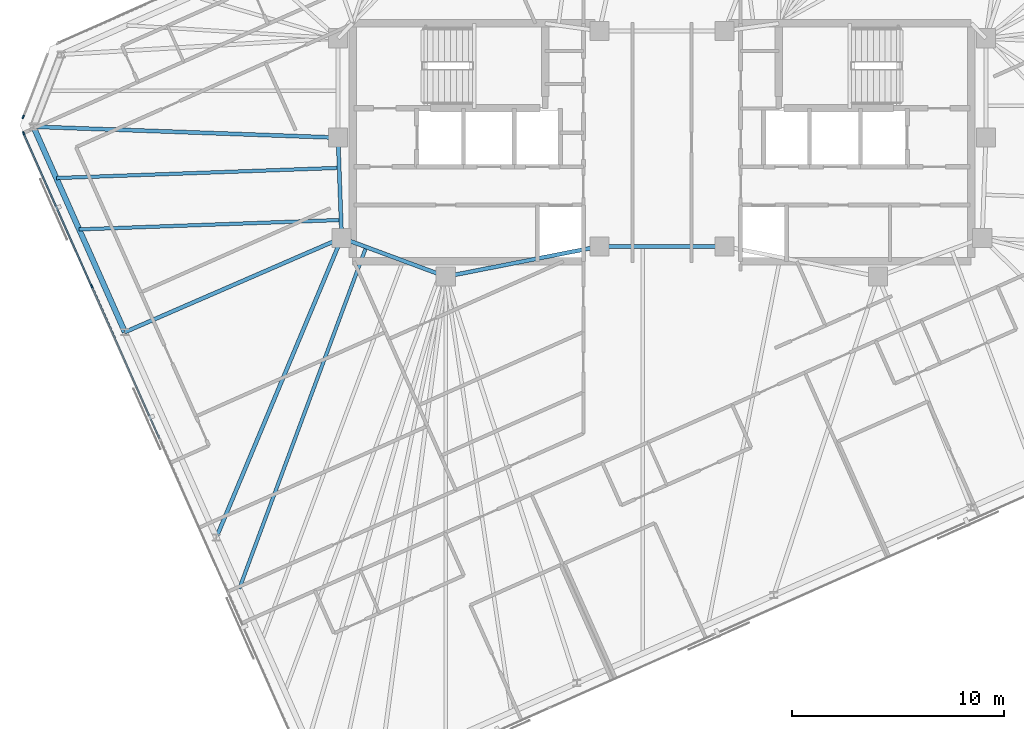
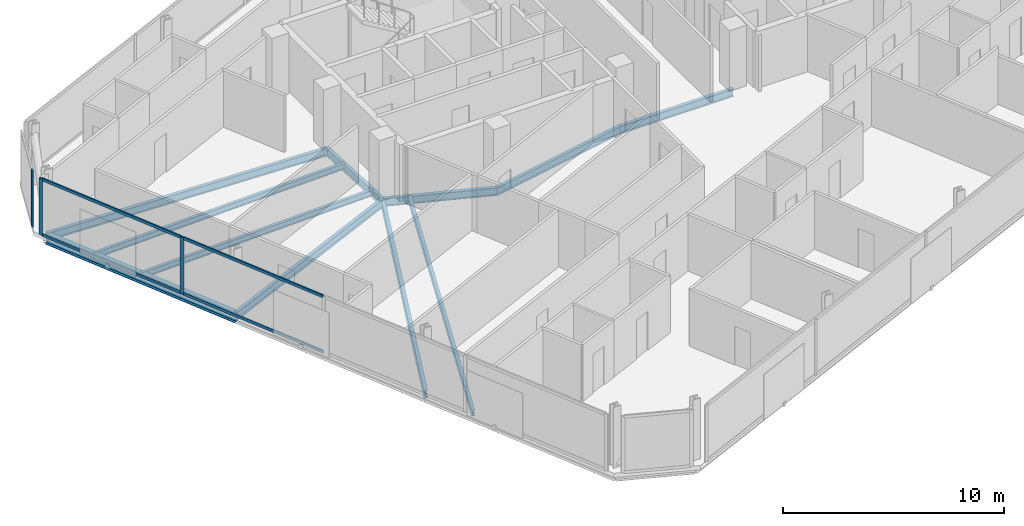
# One storey, part 6 of 19: 11 beams, 7 members, 2 elements without a shape of their own.
"""IFC4 building model written with IfcOpenShell, lengths in metres."""

from ifc_helpers import new_model, si_unit, direction, frame, origin, origin_2d, place, context, subcontext, project, spatial, rectangle, i_section, extrude, material, material_profile, profile_set, type_object, element, aggregate, save


model = new_model("IFC4")

# Units and contexts
model_context = context("Model", 3, precision=1e-05, world=origin(), true_north=direction((0.0, 1.0)))
body_context = subcontext(model_context, "Body", "Model", "MODEL_VIEW")
ifc_project = project(units=[si_unit("LENGTHUNIT", "METRE"), si_unit("AREAUNIT", "SQUARE_METRE"), si_unit("VOLUMEUNIT", "CUBIC_METRE"), si_unit("PLANEANGLEUNIT", "RADIAN"), si_unit("MASSUNIT", "GRAM", prefix="KILO")], contexts=[model_context])

# Site, building, storey
site_placement = place(None, origin())
site = spatial("IfcSite", under=ifc_project, at=site_placement, CompositionType="ELEMENT")
building_placement = place(site_placement, origin())
building = spatial("IfcBuilding", under=site, at=building_placement, Name="Menara Jurai Vektor", CompositionType="ELEMENT")
storey_placement = place(building_placement, frame((0.0, 0.0, 268.89990234375)))
storey = spatial("IfcBuildingStorey", under=building, at=storey_placement, Name="L72", CompositionType="ELEMENT", Elevation=268.89990234375)

# Curtain wall, member
ifc_material_1 = material(Name="Anodised Pale Aluminium & Low-E Double Glazing", Category="aluminium")
curtain_wall_type = type_object("IfcCurtainWallType", Name="CW-BLK5", PredefinedType="NOTDEFINED", material=ifc_material_1)
curtain_wall_1_placement = place(storey_placement, origin())
curtain_wall_1 = element("IfcCurtainWall", 1, at=curtain_wall_1_placement, inside=storey, type_object=curtain_wall_type, Name="Unitised Curtain Wall L72 F06", PredefinedType="NOTDEFINED")
ifc_material_2 = material(Name="Anodised Pale Aluminium Mullion", Category="aluminium")
ifc_material_profile_1 = material_profile(ifc_material_2, rectangle(XDim=0.074951171875, YDim=0.175048828125, at=origin_2d()), Name="ALU MUL 75x175")
ifc_profile_set_1 = profile_set([ifc_material_profile_1], Name="Anodised Pale Aluminium Mullion")
member_type_1 = type_object("IfcMemberType", Name="CW-BLK5-MUL", PredefinedType="MULLION", material=ifc_profile_set_1)
member_1_placement = place(storey_placement, frame((-30.075439453125, 1.197265625, 0.0), z_axis=(0.0, 0.0, 1.0), x_axis=(0.933578193639, -0.358373766287, 0.0)))
member_1 = element("IfcMember", 2, at=member_1_placement, type_object=member_type_1, Name="CW-05 mullion 2", PredefinedType="MULLION", context=body_context, shape_type="SweptSolid", body=[
    extrude(rectangle(XDim=0.074951171875, YDim=0.175048828125, at=origin_2d()), origin(), (0.0, 0.0, 1.0), 3.125),
])
aggregate(curtain_wall_1, [member_1])

# Curtain wall, members
curtain_wall_2_placement = place(storey_placement, origin())
curtain_wall_2 = element("IfcCurtainWall", 3, at=curtain_wall_2_placement, inside=storey, type_object=curtain_wall_type, Name="Unitised Curtain Wall L72 F07", PredefinedType="NOTDEFINED")
member_2_placement = place(storey_placement, frame((-30.055419921875, 0.426025390625, 0.0), z_axis=(0.0, 0.0, 1.0), x_axis=(0.913546127706, 0.406735138086, 0.0)))
member_2 = element("IfcMember", 4, at=member_2_placement, type_object=member_type_1, Name="CW-05 mullion 1", PredefinedType="MULLION", context=body_context, shape_type="SweptSolid", body=[
    extrude(rectangle(XDim=0.074951171875, YDim=0.175048828125, at=origin_2d()), origin(), (0.0, 0.0, 1.0), 3.125),
])
member_3_placement = place(storey_placement, frame((-26.853271484375, -6.765869140625, 0.0), z_axis=(0.0, 0.0, 1.0), x_axis=(0.913546127706, 0.406735138086, 0.0)))
member_3 = element("IfcMember", 5, at=member_3_placement, type_object=member_type_1, Name="CW-05 mullion 2", PredefinedType="MULLION", context=body_context, shape_type="SweptSolid", body=[
    extrude(rectangle(XDim=0.074951171875, YDim=0.175048828125, at=origin_2d()), origin(), (0.0, 0.0, 1.0), 3.125),
])
ifc_material_3 = material(Name="Anodised Pale Aluminium Transom", Category="aluminium")
ifc_material_profile_2 = material_profile(ifc_material_3, rectangle(XDim=0.074951171875, YDim=0.155029296875, at=origin_2d()), Name="ALU TRN 75x155")
ifc_profile_set_2 = profile_set([ifc_material_profile_2], Name="Anodised Pale Aluminium Transom")
member_type_2 = type_object("IfcMemberType", Name="CW-BLK5-TRN", PredefinedType="USERDEFINED", material=ifc_profile_set_2)
member_4_placement = place(storey_placement, frame((-30.0400390625, 0.391845703125, 0.03759765625), z_axis=(0.406713581109, -0.913555725143, 0.0), x_axis=(0.913555725143, 0.406713581109, 0.0)))
member_4 = element("IfcMember", 6, at=member_4_placement, type_object=member_type_2, Name="CW-05 transom 1.1", ObjectType="TRANSOM", PredefinedType="USERDEFINED", context=body_context, shape_type="SweptSolid", body=[
    extrude(rectangle(XDim=0.074951171875, YDim=0.155029296875, at=origin_2d()), origin(), (0.0, 0.0, 1.0), 7.797607421875),
])
member_5_placement = place(storey_placement, frame((-30.0400390625, 0.391845703125, 3.087646484375), z_axis=(0.406713581109, -0.913555725143, 0.0), x_axis=(0.913555725143, 0.406713581109, 0.0)))
member_5 = element("IfcMember", 7, at=member_5_placement, type_object=member_type_2, Name="CW-05 transom 1.2", ObjectType="TRANSOM", PredefinedType="USERDEFINED", context=body_context, shape_type="SweptSolid", body=[
    extrude(rectangle(XDim=0.074951171875, YDim=0.155029296875, at=origin_2d()), origin(), (0.0, 0.0, 1.0), 7.797607421875),
])
member_6_placement = place(storey_placement, frame((-26.838134765625, -6.800048828125, 0.03759765625), z_axis=(0.406731062496, -0.913547942256, 0.0), x_axis=(0.913547942256, 0.406731062496, 0.0)))
member_6 = element("IfcMember", 8, at=member_6_placement, type_object=member_type_2, Name="CW-05 transom 2.1", ObjectType="TRANSOM", PredefinedType="USERDEFINED", context=body_context, shape_type="SweptSolid", body=[
    extrude(rectangle(XDim=0.074951171875, YDim=0.155029296875, at=origin_2d()), origin(), (0.0, 0.0, 1.0), 7.8349609375),
])
member_7_placement = place(storey_placement, frame((-26.838134765625, -6.800048828125, 3.087646484375), z_axis=(0.406731062496, -0.913547942256, 0.0), x_axis=(0.913547942256, 0.406731062496, 0.0)))
member_7 = element("IfcMember", 9, at=member_7_placement, type_object=member_type_2, Name="CW-05 transom 2.2", ObjectType="TRANSOM", PredefinedType="USERDEFINED", context=body_context, shape_type="SweptSolid", body=[
    extrude(rectangle(XDim=0.074951171875, YDim=0.155029296875, at=origin_2d()), origin(), (0.0, 0.0, 1.0), 7.8349609375),
])
aggregate(curtain_wall_2, [member_2, member_3, member_4, member_5, member_6, member_7])

# Beams
ifc_material_4 = material(Name="Steel S355", Category="steel")
ifc_material_profile_3 = material_profile(ifc_material_4, i_section(OverallWidth=0.18505859375, OverallDepth=0.429931640625, WebThickness=0.010986328125, FlangeThickness=0.01806640625, at=origin_2d()), Name="PG 430x185x76")
ifc_profile_set_3 = profile_set([ifc_material_profile_3], Name="Steel S355")
beam_type_1 = type_object("IfcBeamType", Name="STR-BM-430", PredefinedType="BEAM", material=ifc_profile_set_3)
beam_1_placement = place(storey_placement, frame((-15.080078125, -4.5, -0.43994140625), z_axis=(-0.035977314146, 0.999352606874, 0.0), x_axis=(-0.999352606874, -0.035977314146, 0.0)))
element("IfcBeam", 10, at=beam_1_placement, inside=storey, type_object=beam_type_1, Name="Core Ring Header Girder L72-CHW-W2", PredefinedType="BEAM", context=body_context, shape_type="SweptSolid", body=[
    extrude(i_section(OverallWidth=0.18505859375, OverallDepth=0.429931640625, WebThickness=0.010986328125, FlangeThickness=0.01806640625, at=origin_2d()), origin(), (0.0, 0.0, 1.0), 4.72314453125),
])
beam_2_placement = place(storey_placement, frame((-15.080078125, -4.5, -0.43994140625), z_axis=(0.937424400887, -0.348188874925, 0.0), x_axis=(0.348188874925, 0.937424400887, 0.0)))
element("IfcBeam", 11, at=beam_2_placement, inside=storey, type_object=beam_type_1, Name="Core Ring Header Girder L72-CHW-S1", PredefinedType="BEAM", context=body_context, shape_type="SweptSolid", body=[
    extrude(i_section(OverallWidth=0.18505859375, OverallDepth=0.429931640625, WebThickness=0.010986328125, FlangeThickness=0.01806640625, at=origin_2d()), origin(), (0.0, 0.0, 1.0), 5.227294921875),
])
beam_3_placement = place(storey_placement, frame((-10.179931640625, -6.320068359375, -0.43994140625), z_axis=(0.981249044334, 0.192744164614, 0.0), x_axis=(-0.192744164614, 0.981249044334, 0.0)))
element("IfcBeam", 12, at=beam_3_placement, inside=storey, type_object=beam_type_1, Name="Core Ring Header Girder L72-CHW-S2", PredefinedType="BEAM", context=body_context, shape_type="SweptSolid", body=[
    extrude(i_section(OverallWidth=0.18505859375, OverallDepth=0.429931640625, WebThickness=0.010986328125, FlangeThickness=0.01806640625, at=origin_2d()), origin(), (0.0, 0.0, 1.0), 7.3681640625),
])
beam_4_placement = place(storey_placement, frame((-2.949951171875, -4.89990234375, -0.43994140625), z_axis=(1.0, 0.0, 0.0), x_axis=(0.0, 1.0, 0.0)))
element("IfcBeam", 13, at=beam_4_placement, inside=storey, type_object=beam_type_1, Name="Core Ring Header Girder L72-CC-1", PredefinedType="BEAM", context=body_context, shape_type="SweptSolid", body=[
    extrude(i_section(OverallWidth=0.18505859375, OverallDepth=0.429931640625, WebThickness=0.010986328125, FlangeThickness=0.01806640625, at=origin_2d()), origin(), (0.0, 0.0, 1.0), 5.89990234375),
])
beam_5_placement = place(storey_placement, frame((-29.591796875, 0.73681640625, -0.43994140625), z_axis=(0.999351273077, -0.03601434436, 0.0), x_axis=(0.03601434436, 0.999351273077, 0.0)))
element("IfcBeam", 14, at=beam_5_placement, inside=storey, type_object=beam_type_1, Name="Radial Floor Girder L72-W1", PredefinedType="BEAM", context=body_context, shape_type="SweptSolid", body=[
    extrude(i_section(OverallWidth=0.18505859375, OverallDepth=0.429931640625, WebThickness=0.010986328125, FlangeThickness=0.01806640625, at=origin_2d()), origin(), (0.0, 0.0, 1.0), 14.35107421875),
])
beam_6_placement = place(storey_placement, frame((-25.286376953125, -8.933349609375, -0.43994140625), z_axis=(0.917207084259, 0.398410798781, 0.0), x_axis=(-0.398410798781, 0.917207084259, 0.0)))
element("IfcBeam", 15, at=beam_6_placement, inside=storey, type_object=beam_type_1, Name="Radial Floor Girder L72-W2", PredefinedType="BEAM", context=body_context, shape_type="SweptSolid", body=[
    extrude(i_section(OverallWidth=0.18505859375, OverallDepth=0.429931640625, WebThickness=0.010986328125, FlangeThickness=0.01806640625, at=origin_2d()), origin(), (0.0, 0.0, 1.0), 11.127685546875),
])
beam_7_placement = place(storey_placement, frame((-20.98095703125, -18.603271484375, -0.43994140625), z_axis=(0.38598134247, 0.922506587112, 0.0), x_axis=(-0.922506587112, 0.38598134247, 0.0)))
element("IfcBeam", 16, at=beam_7_placement, inside=storey, type_object=beam_type_1, Name="Radial Floor Girder L72-W3", PredefinedType="BEAM", context=body_context, shape_type="SweptSolid", body=[
    extrude(i_section(OverallWidth=0.18505859375, OverallDepth=0.429931640625, WebThickness=0.010986328125, FlangeThickness=0.01806640625, at=origin_2d()), origin(), (0.0, 0.0, 1.0), 15.2880859375),
])
ifc_material_profile_4 = material_profile(ifc_material_4, i_section(OverallWidth=0.1650390625, OverallDepth=0.330078125, WebThickness=0.009033203125, FlangeThickness=0.013916015625, at=origin_2d()), Name="PG 330x165x46")
ifc_profile_set_4 = profile_set([ifc_material_profile_4], Name="Steel S355")
beam_type_2 = type_object("IfcBeamType", Name="STR-JS-330", PredefinedType="JOIST", material=ifc_profile_set_4)
beam_8_placement = place(storey_placement, frame((-28.515380859375, -1.6806640625, -0.389892578125), z_axis=(0.999352378837, 0.035983647851, 0.0), x_axis=(-0.035983647851, 0.999352378837, 0.0)))
element("IfcBeam", 17, at=beam_8_placement, inside=storey, type_object=beam_type_2, Name="Radial Secondary Floor Joist L72-JS26", PredefinedType="JOIST", context=body_context, shape_type="SweptSolid", body=[
    extrude(i_section(OverallWidth=0.1650390625, OverallDepth=0.330078125, WebThickness=0.009033203125, FlangeThickness=0.013916015625, at=origin_2d()), origin(), (0.0, 0.0, 1.0), 13.3251953125),
])
beam_9_placement = place(storey_placement, frame((-27.43896484375, -4.09814453125, -0.389892578125), z_axis=(0.999352552329, 0.03597882924, 0.0), x_axis=(-0.03597882924, 0.999352552329, 0.0)))
element("IfcBeam", 18, at=beam_9_placement, inside=storey, type_object=beam_type_2, Name="Radial Secondary Floor Joist L72-JS27", PredefinedType="JOIST", context=body_context, shape_type="SweptSolid", body=[
    extrude(i_section(OverallWidth=0.1650390625, OverallDepth=0.330078125, WebThickness=0.009033203125, FlangeThickness=0.013916015625, at=origin_2d()), origin(), (0.0, 0.0, 1.0), 12.33642578125),
])
beam_10_placement = place(storey_placement, frame((-19.904541015625, -21.020751953125, -0.389892578125), z_axis=(0.348190100331, 0.937423945732, 0.0), x_axis=(-0.937423945732, 0.348190100331, 0.0)))
element("IfcBeam", 19, at=beam_10_placement, inside=storey, type_object=beam_type_2, Name="Radial Secondary Floor Joist L72-JS28", PredefinedType="JOIST", context=body_context, shape_type="SweptSolid", body=[
    extrude(i_section(OverallWidth=0.1650390625, OverallDepth=0.330078125, WebThickness=0.009033203125, FlangeThickness=0.013916015625, at=origin_2d()), origin(), (0.0, 0.0, 1.0), 17.166748046875),
])
ifc_material_profile_5 = material_profile(ifc_material_4, i_section(OverallWidth=0.260009765625, OverallDepth=0.570068359375, WebThickness=0.013916015625, FlangeThickness=0.02392578125, at=origin_2d()), Name="PG 570x260x145")
ifc_profile_set_5 = profile_set([ifc_material_profile_5], Name="Steel S355")
beam_type_3 = type_object("IfcBeamType", Name="STR-SP-570", PredefinedType="SPANDREL", material=ifc_profile_set_5)
beam_11_placement = place(storey_placement, frame((-29.591796875, 0.73681640625, -0.510009765625), z_axis=(0.40673543049, -0.91354599752, 0.0), x_axis=(0.91354599752, 0.40673543049, 0.0)))
element("IfcBeam", 20, at=beam_11_placement, inside=storey, type_object=beam_type_3, Name="Exoskeleton Spandrel Beam L72-17", PredefinedType="SPANDREL", context=body_context, shape_type="SweptSolid", body=[
    extrude(i_section(OverallWidth=0.260009765625, OverallDepth=0.570068359375, WebThickness=0.013916015625, FlangeThickness=0.02392578125, at=origin_2d()), origin(), (0.0, 0.0, 1.0), 10.585205078125),
])

save(model, "model.ifc")
